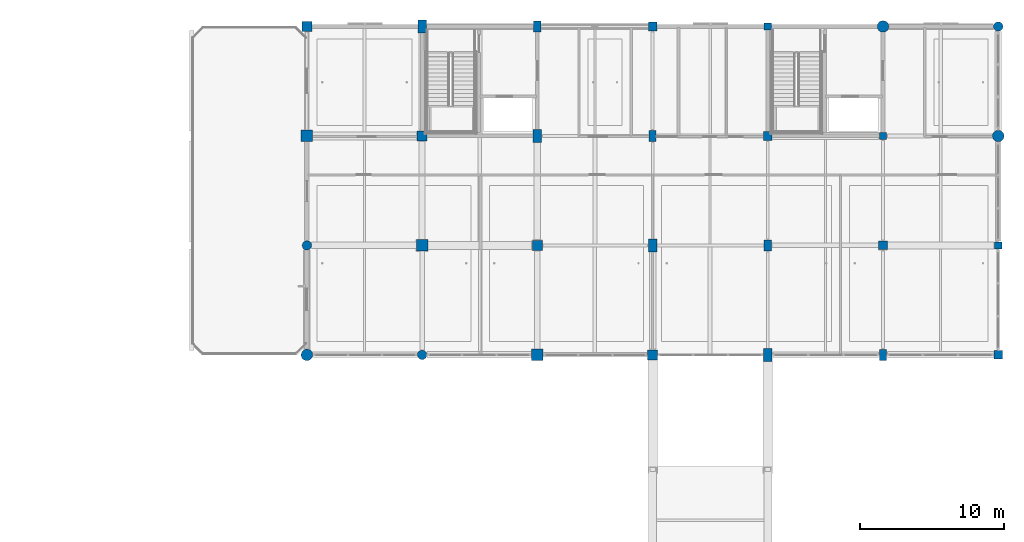
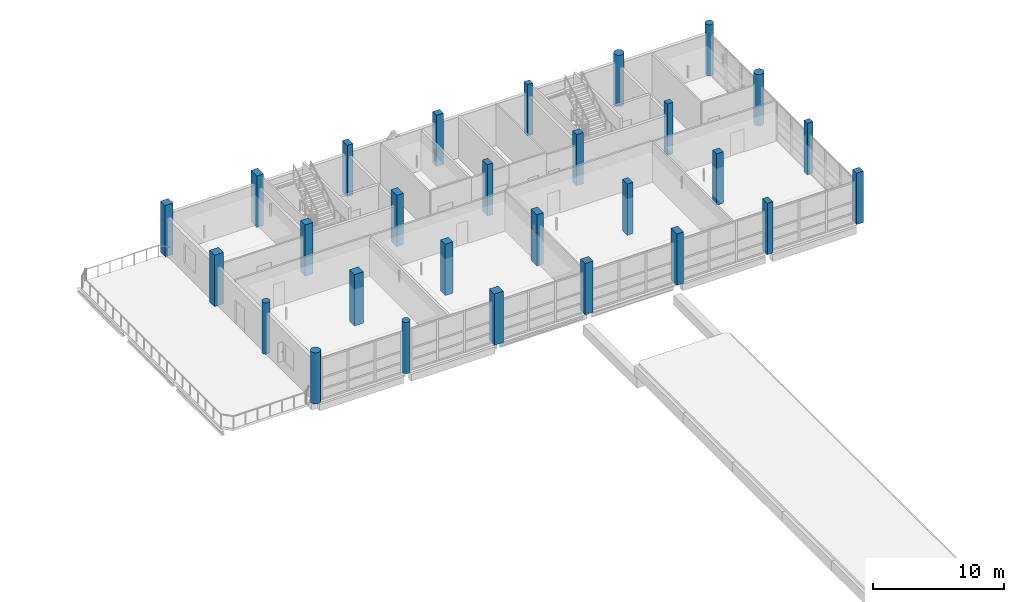
# One storey, part 8 of 107: 28 columns.
"""IFC4 building model written with IfcOpenShell, lengths in metres."""

from ifc_helpers import new_model, si_unit, direction, frame, origin, origin_2d, place, context, subcontext, project, spatial, rectangle, circle, extrude, material, material_profile, profile_set, type_object, element, save


model = new_model("IFC4")

# Units and contexts
model_context = context("Model", 3, precision=1e-05, world=origin(), true_north=direction((0.0, 1.0)))
body_context = subcontext(model_context, "Body", "Model", "MODEL_VIEW")
ifc_project = project(units=[si_unit("LENGTHUNIT", "METRE"), si_unit("AREAUNIT", "SQUARE_METRE"), si_unit("VOLUMEUNIT", "CUBIC_METRE"), si_unit("PLANEANGLEUNIT", "RADIAN"), si_unit("MASSUNIT", "GRAM", prefix="KILO")], contexts=[model_context])

# Site, building, storey
site_placement = place(None, origin())
site = spatial("IfcSite", under=ifc_project, at=site_placement, CompositionType="ELEMENT")
building_placement = place(site_placement, origin())
building = spatial("IfcBuilding", under=site, at=building_placement, Name="Khelvaren Railside Concert Hall", CompositionType="ELEMENT")
storey_placement = place(building_placement, frame((0.0, 0.0, 15.0)))
storey = spatial("IfcBuildingStorey", under=building, at=storey_placement, Name="L03", CompositionType="ELEMENT", Elevation=15.0)

# Columns
ifc_material = material(Name="Concrete C45/55", Category="concrete")
ifc_material_profile_1 = material_profile(ifc_material, rectangle(XDim=0.60009765625, YDim=0.60009765625, at=origin_2d()), Name="RC 600x600")
ifc_profile_set_1 = profile_set([ifc_material_profile_1], Name="Concrete C45/55")
column_type_1 = type_object("IfcColumnType", Name="COL11", PredefinedType="COLUMN", material=ifc_profile_set_1)
for number, where, z_axis, x_axis, name in (
    (1, (160.0, 114.0, 0.0), (0.0, 0.0, 1.0), (1.0, 0.0, 0.0), "V5 L03 Column (160.0,114.0)"),
    (2, (184.0, 91.199951171875, 0.0), (0.0, 0.0, 1.0), (1.0, 0.0, 0.0), "V5 L03 Column (184.0,91.2)"),
):
    element("IfcColumn", number, at=place(storey_placement, frame(where, z_axis=z_axis, x_axis=x_axis)), inside=storey, type_object=column_type_1, Name=name, PredefinedType="COLUMN", context=body_context, shape_type="SweptSolid", body=[
        extrude(rectangle(XDim=0.60009765625, YDim=0.60009765625, at=origin_2d()), origin(), (0.0, 0.0, 1.0), 4.800048828125),
    ])
ifc_material_profile_2 = material_profile(ifc_material, rectangle(XDim=0.699951171875, YDim=0.699951171875, at=origin_2d()), Name="RC 700x700")
ifc_profile_set_2 = profile_set([ifc_material_profile_2], Name="Concrete C45/55")
column_type_2 = type_object("IfcColumnType", Name="COL16", PredefinedType="COLUMN", material=ifc_profile_set_2)
for number, where, z_axis, x_axis, name in (
    (3, (136.0, 114.0, 0.0), (0.0, 0.0, 1.0), (1.0, 0.0, 0.0), "V5 L03 Column (136.0,114.0)"),
    (4, (160.0, 91.199951171875, 0.0), (0.0, 0.0, 1.0), (1.0, 0.0, 0.0), "V5 L03 Column (160.0,91.2)"),
):
    element("IfcColumn", number, at=place(storey_placement, frame(where, z_axis=z_axis, x_axis=x_axis)), inside=storey, type_object=column_type_2, Name=name, PredefinedType="COLUMN", context=body_context, shape_type="SweptSolid", body=[
        extrude(rectangle(XDim=0.699951171875, YDim=0.699951171875, at=origin_2d()), origin(), (0.0, 0.0, 1.0), 4.800048828125),
    ])
ifc_material_profile_3 = material_profile(ifc_material, rectangle(XDim=0.800048828125, YDim=0.800048828125, at=origin_2d()), Name="RC 800x800")
ifc_profile_set_3 = profile_set([ifc_material_profile_3], Name="Concrete C45/55")
column_type_3 = type_object("IfcColumnType", Name="COL20", PredefinedType="COLUMN", material=ifc_profile_set_3)
column_1_placement = place(storey_placement, frame((144.0, 98.800048828125, 0.0), z_axis=(0.0, 0.0, 1.0), x_axis=(1.0, 0.0, 0.0)))
element("IfcColumn", 5, at=column_1_placement, inside=storey, type_object=column_type_3, Name="V5 L03 Column (144.0,98.8)", PredefinedType="COLUMN", context=body_context, shape_type="SweptSolid", body=[
    extrude(rectangle(XDim=0.800048828125, YDim=0.800048828125, at=origin_2d()), origin(), (0.0, 0.0, 1.0), 4.800048828125),
])
ifc_material_profile_4 = material_profile(ifc_material, circle(Radius=0.39990234375, at=origin_2d()), Name="RC D800")
ifc_profile_set_4 = profile_set([ifc_material_profile_4], Name="Concrete C45/55")
column_type_4 = type_object("IfcColumnType", Name="COL22", PredefinedType="COLUMN", material=ifc_profile_set_4)
for number, where, z_axis, x_axis, name in (
    (6, (136.0, 91.199951171875, 0.0), (0.0, 0.0, 1.0), (1.0, 0.0, 0.0), "V5 L03 Column (136.0,91.2)"),
    (7, (176.0, 114.0, 0.0), (0.0, 0.0, 1.0), (1.0, 0.0, 0.0), "V5 L03 Column (176.0,114.0)"),
    (8, (184.0, 106.39990234375, 0.0), (0.0, 0.0, 1.0), (1.0, 0.0, 0.0), "V5 L03 Column (184.0,106.4)"),
):
    element("IfcColumn", number, at=place(storey_placement, frame(where, z_axis=z_axis, x_axis=x_axis)), inside=storey, type_object=column_type_4, Name=name, PredefinedType="COLUMN", context=body_context, shape_type="SweptSolid", body=[
        extrude(circle(Radius=0.39990234375, at=origin_2d()), origin(), (0.0, 0.0, 1.0), 4.800048828125),
    ])
ifc_material_profile_5 = material_profile(ifc_material, rectangle(XDim=0.60009765625, YDim=0.60009765625, at=origin_2d()), Name="RC 600x600")
ifc_profile_set_5 = profile_set([ifc_material_profile_5], Name="Concrete C45/55")
column_type_5 = type_object("IfcColumnType", Name="COL29", PredefinedType="COLUMN", material=ifc_profile_set_5)
for number, where, z_axis, x_axis, name in (
    (9, (168.0, 106.39990234375, 0.0), (0.0, 0.0, 1.0), (1.0, 0.0, 0.0), "V5 L03 Column (168.0,106.4)"),
    (10, (176.0, 98.800048828125, 0.0), (0.0, 0.0, 1.0), (1.0, 0.0, 0.0), "V5 L03 Column (176.0,98.8)"),
):
    element("IfcColumn", number, at=place(storey_placement, frame(where, z_axis=z_axis, x_axis=x_axis)), inside=storey, type_object=column_type_5, Name=name, PredefinedType="COLUMN", context=body_context, shape_type="SweptSolid", body=[
        extrude(rectangle(XDim=0.60009765625, YDim=0.60009765625, at=origin_2d()), origin(), (0.0, 0.0, 1.0), 4.800048828125),
    ])
ifc_material_profile_6 = material_profile(ifc_material, rectangle(XDim=0.60009765625, YDim=0.89990234375, at=origin_2d()), Name="RC 600x900")
ifc_profile_set_6 = profile_set([ifc_material_profile_6], Name="Concrete C45/55")
column_type_6 = type_object("IfcColumnType", Name="COL33", PredefinedType="COLUMN", material=ifc_profile_set_6)
for number, where, z_axis, x_axis, name in (
    (11, (152.0, 106.39990234375, 0.0), (0.0, 0.0, 1.0), (1.0, 0.0, 0.0), "V5 L03 Column (152.0,106.4)"),
    (12, (160.0, 98.800048828125, 0.0), (0.0, 0.0, 1.0), (1.0, 0.0, 0.0), "V5 L03 Column (160.0,98.8)"),
):
    element("IfcColumn", number, at=place(storey_placement, frame(where, z_axis=z_axis, x_axis=x_axis)), inside=storey, type_object=column_type_6, Name=name, PredefinedType="COLUMN", context=body_context, shape_type="SweptSolid", body=[
        extrude(rectangle(XDim=0.60009765625, YDim=0.89990234375, at=origin_2d()), origin(), (0.0, 0.0, 1.0), 4.800048828125),
    ])
ifc_material_profile_7 = material_profile(ifc_material, rectangle(XDim=0.5, YDim=0.5, at=origin_2d()), Name="RC 500x500")
ifc_profile_set_7 = profile_set([ifc_material_profile_7], Name="Concrete C45/55")
column_type_7 = type_object("IfcColumnType", Name="COL35", PredefinedType="COLUMN", material=ifc_profile_set_7)
for number, where, z_axis, x_axis, name in (
    (13, (168.0, 114.0, 0.0), (0.0, 0.0, 1.0), (1.0, 0.0, 0.0), "V5 L03 Column (168.0,114.0)"),
    (14, (184.0, 98.800048828125, 0.0), (0.0, 0.0, 1.0), (1.0, 0.0, 0.0), "V5 L03 Column (184.0,98.8)"),
):
    element("IfcColumn", number, at=place(storey_placement, frame(where, z_axis=z_axis, x_axis=x_axis)), inside=storey, type_object=column_type_7, Name=name, PredefinedType="COLUMN", context=body_context, shape_type="SweptSolid", body=[
        extrude(rectangle(XDim=0.5, YDim=0.5, at=origin_2d()), origin(), (0.0, 0.0, 1.0), 4.800048828125),
    ])
ifc_material_profile_8 = material_profile(ifc_material, rectangle(XDim=0.5, YDim=0.75, at=origin_2d()), Name="RC 500x750")
ifc_profile_set_8 = profile_set([ifc_material_profile_8], Name="Concrete C45/55")
column_type_8 = type_object("IfcColumnType", Name="COL36", PredefinedType="COLUMN", material=ifc_profile_set_8)
for number, where, z_axis, x_axis, name in (
    (15, (160.0, 106.39990234375, 0.0), (0.0, 0.0, 1.0), (1.0, 0.0, 0.0), "V5 L03 Column (160.0,106.4)"),
    (16, (168.0, 98.800048828125, 0.0), (0.0, 0.0, 1.0), (1.0, 0.0, 0.0), "V5 L03 Column (168.0,98.8)"),
):
    element("IfcColumn", number, at=place(storey_placement, frame(where, z_axis=z_axis, x_axis=x_axis)), inside=storey, type_object=column_type_8, Name=name, PredefinedType="COLUMN", context=body_context, shape_type="SweptSolid", body=[
        extrude(rectangle(XDim=0.5, YDim=0.75, at=origin_2d()), origin(), (0.0, 0.0, 1.0), 4.800048828125),
    ])
ifc_material_profile_9 = material_profile(ifc_material, rectangle(XDim=0.800048828125, YDim=0.800048828125, at=origin_2d()), Name="RC 800x800")
ifc_profile_set_9 = profile_set([ifc_material_profile_9], Name="Concrete C45/55")
column_type_9 = type_object("IfcColumnType", Name="COL38", PredefinedType="COLUMN", material=ifc_profile_set_9)
for number, where, z_axis, x_axis, name in (
    (17, (136.0, 106.39990234375, 0.0), (0.0, 0.0, 1.0), (1.0, 0.0, 0.0), "V5 L03 Column (136.0,106.4)"),
    (18, (152.0, 91.199951171875, 0.0), (0.0, 0.0, 1.0), (1.0, 0.0, 0.0), "V5 L03 Column (152.0,91.2)"),
):
    element("IfcColumn", number, at=place(storey_placement, frame(where, z_axis=z_axis, x_axis=x_axis)), inside=storey, type_object=column_type_9, Name=name, PredefinedType="COLUMN", context=body_context, shape_type="SweptSolid", body=[
        extrude(rectangle(XDim=0.800048828125, YDim=0.800048828125, at=origin_2d()), origin(), (0.0, 0.0, 1.0), 4.800048828125),
    ])
ifc_material_profile_10 = material_profile(ifc_material, circle(Radius=0.324951171875, at=origin_2d()), Name="RC D650")
ifc_profile_set_10 = profile_set([ifc_material_profile_10], Name="Concrete C45/55")
column_type_10 = type_object("IfcColumnType", Name="COL53", PredefinedType="COLUMN", material=ifc_profile_set_10)
for number, where, z_axis, x_axis, name in (
    (19, (136.0, 98.800048828125, 0.0), (0.0, 0.0, 1.0), (1.0, 0.0, 0.0), "V5 L03 Column (136.0,98.8)"),
    (20, (144.0, 91.199951171875, 0.0), (0.0, 0.0, 1.0), (1.0, 0.0, 0.0), "V5 L03 Column (144.0,91.2)"),
    (21, (184.0, 114.0, 0.0), (0.0, 0.0, 1.0), (1.0, 0.0, 0.0), "V5 L03 Column (184.0,114.0)"),
):
    element("IfcColumn", number, at=place(storey_placement, frame(where, z_axis=z_axis, x_axis=x_axis)), inside=storey, type_object=column_type_10, Name=name, PredefinedType="COLUMN", context=body_context, shape_type="SweptSolid", body=[
        extrude(circle(Radius=0.324951171875, at=origin_2d()), origin(), (0.0, 0.0, 1.0), 4.800048828125),
    ])
ifc_material_profile_11 = material_profile(ifc_material, rectangle(XDim=0.699951171875, YDim=0.699951171875, at=origin_2d()), Name="RC 700x700")
ifc_profile_set_11 = profile_set([ifc_material_profile_11], Name="Concrete C45/55")
column_type_11 = type_object("IfcColumnType", Name="COL74", PredefinedType="COLUMN", material=ifc_profile_set_11)
for number, where, z_axis, x_axis, name in (
    (22, (144.0, 106.39990234375, 0.0), (0.0, 0.0, 1.0), (1.0, 0.0, 0.0), "V5 L03 Column (144.0,106.4)"),
    (23, (152.0, 98.800048828125, 0.0), (0.0, 0.0, 1.0), (1.0, 0.0, 0.0), "V5 L03 Column (152.0,98.8)"),
):
    element("IfcColumn", number, at=place(storey_placement, frame(where, z_axis=z_axis, x_axis=x_axis)), inside=storey, type_object=column_type_11, Name=name, PredefinedType="COLUMN", context=body_context, shape_type="SweptSolid", body=[
        extrude(rectangle(XDim=0.699951171875, YDim=0.699951171875, at=origin_2d()), origin(), (0.0, 0.0, 1.0), 4.800048828125),
    ])
ifc_material_profile_12 = material_profile(ifc_material, rectangle(XDim=0.5, YDim=0.5, at=origin_2d()), Name="RC 500x500")
ifc_profile_set_12 = profile_set([ifc_material_profile_12], Name="Concrete C45/55")
column_type_12 = type_object("IfcColumnType", Name="COL84", PredefinedType="COLUMN", material=ifc_profile_set_12)
column_2_placement = place(storey_placement, frame((176.0, 106.39990234375, 0.0), z_axis=(0.0, 0.0, 1.0), x_axis=(1.0, 0.0, 0.0)))
element("IfcColumn", 24, at=column_2_placement, inside=storey, type_object=column_type_12, Name="V5 L03 Column (176.0,106.4)", PredefinedType="COLUMN", context=body_context, shape_type="SweptSolid", body=[
    extrude(rectangle(XDim=0.5, YDim=0.5, at=origin_2d()), origin(), (0.0, 0.0, 1.0), 4.800048828125),
])
ifc_material_profile_13 = material_profile(ifc_material, rectangle(XDim=0.60009765625, YDim=0.89990234375, at=origin_2d()), Name="RC 600x900")
ifc_profile_set_13 = profile_set([ifc_material_profile_13], Name="Concrete C45/55")
column_type_13 = type_object("IfcColumnType", Name="COL95", PredefinedType="COLUMN", material=ifc_profile_set_13)
for number, where, z_axis, x_axis, name in (
    (25, (144.0, 114.0, 0.0), (0.0, 0.0, 1.0), (1.0, 0.0, 0.0), "V5 L03 Column (144.0,114.0)"),
    (26, (168.0, 91.199951171875, 0.0), (0.0, 0.0, 1.0), (1.0, 0.0, 0.0), "V5 L03 Column (168.0,91.2)"),
):
    element("IfcColumn", number, at=place(storey_placement, frame(where, z_axis=z_axis, x_axis=x_axis)), inside=storey, type_object=column_type_13, Name=name, PredefinedType="COLUMN", context=body_context, shape_type="SweptSolid", body=[
        extrude(rectangle(XDim=0.60009765625, YDim=0.89990234375, at=origin_2d()), origin(), (0.0, 0.0, 1.0), 4.800048828125),
    ])
ifc_material_profile_14 = material_profile(ifc_material, rectangle(XDim=0.5, YDim=0.75, at=origin_2d()), Name="RC 500x750")
ifc_profile_set_14 = profile_set([ifc_material_profile_14], Name="Concrete C45/55")
column_type_14 = type_object("IfcColumnType", Name="COL97", PredefinedType="COLUMN", material=ifc_profile_set_14)
for number, where, z_axis, x_axis, name in (
    (27, (152.0, 114.0, 0.0), (0.0, 0.0, 1.0), (1.0, 0.0, 0.0), "V5 L03 Column (152.0,114.0)"),
    (28, (176.0, 91.199951171875, 0.0), (0.0, 0.0, 1.0), (1.0, 0.0, 0.0), "V5 L03 Column (176.0,91.2)"),
):
    element("IfcColumn", number, at=place(storey_placement, frame(where, z_axis=z_axis, x_axis=x_axis)), inside=storey, type_object=column_type_14, Name=name, PredefinedType="COLUMN", context=body_context, shape_type="SweptSolid", body=[
        extrude(rectangle(XDim=0.5, YDim=0.75, at=origin_2d()), origin(), (0.0, 0.0, 1.0), 4.800048828125),
    ])

save(model, "model.ifc")
